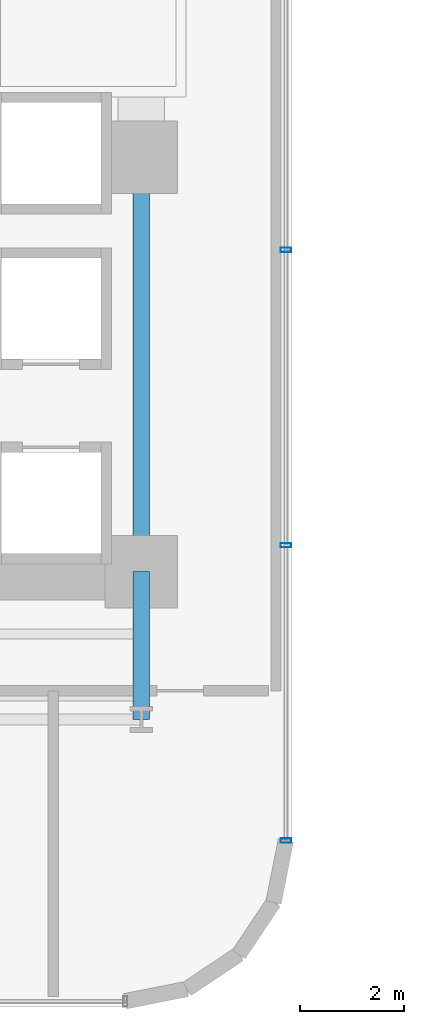
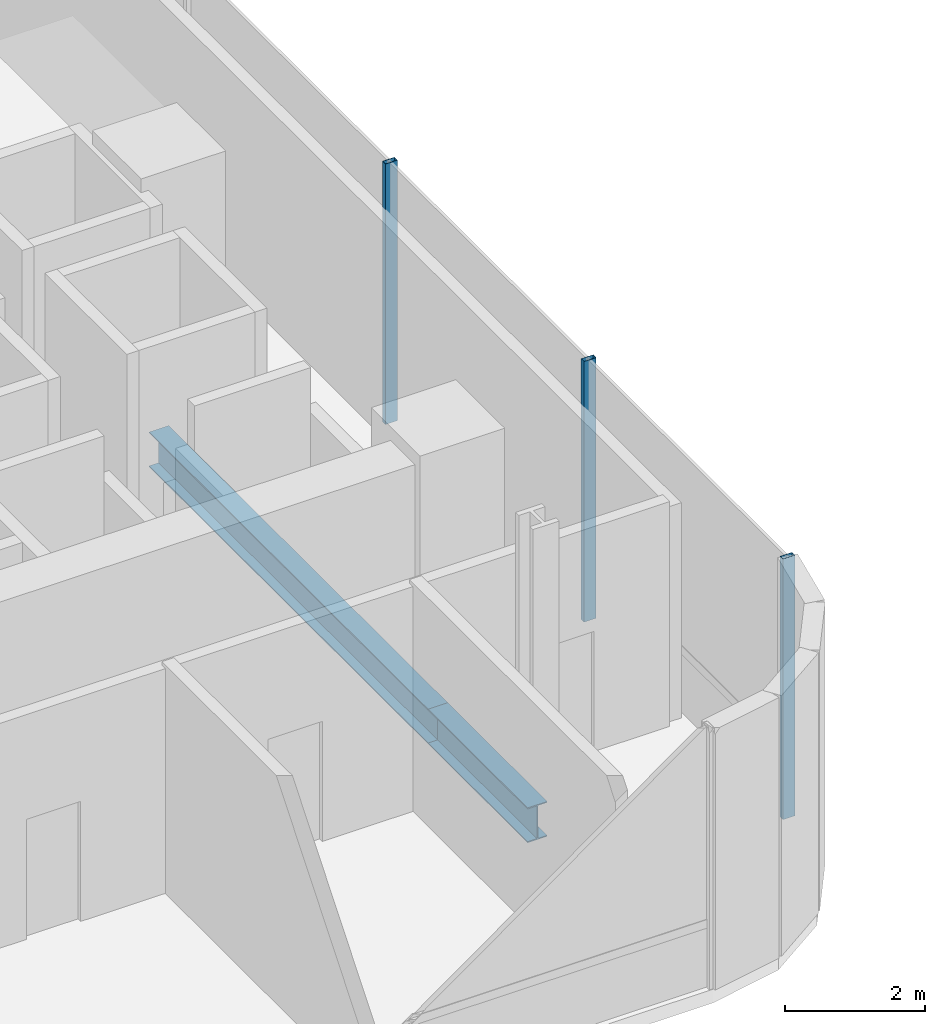
# One storey, part 7 of 39: 3 members, 2 beams, 1 element without a shape of its own.
"""IFC4 building model written with IfcOpenShell, lengths in metres."""

from ifc_helpers import new_model, si_unit, direction, frame, origin, origin_2d, place, context, subcontext, project, spatial, hollow_rectangle, i_section, extrude, source, transform, mapped, material, material_profile, profile_set, type_object, element, aggregate, save


model = new_model("IFC4")

# Units and contexts
model_context = context("Model", 3, precision=1e-05, world=origin(), true_north=direction((0.0, 1.0)))
body_context = subcontext(model_context, "Body", "Model", "MODEL_VIEW")
ifc_project = project(units=[si_unit("LENGTHUNIT", "METRE"), si_unit("AREAUNIT", "SQUARE_METRE"), si_unit("VOLUMEUNIT", "CUBIC_METRE"), si_unit("PLANEANGLEUNIT", "RADIAN"), si_unit("MASSUNIT", "GRAM", prefix="KILO")], contexts=[model_context])

# Site, building, storey
site_placement = place(None, origin())
site = spatial("IfcSite", under=ifc_project, at=site_placement, CompositionType="ELEMENT")
building_placement = place(site_placement, origin())
building = spatial("IfcBuilding", under=site, at=building_placement, Name="Valdorenza Pilgrim Sanctuary Tower", CompositionType="ELEMENT")
storey_placement = place(building_placement, frame((0.0, 0.0, 96.300048828125)))
storey = spatial("IfcBuildingStorey", under=building, at=storey_placement, Name="L24", CompositionType="ELEMENT", Elevation=96.300048828125)

# Beams
ifc_material_1 = material(Name="Steel ASTM A992 Grade 50", Category="steel")
ifc_material_profile_1 = material_profile(ifc_material_1, i_section(OverallWidth=0.323974609375, OverallDepth=0.611083984375, WebThickness=0.0126953125, FlangeThickness=0.01904296875, at=origin_2d()), Name="W24X104")
ifc_profile_set_1 = profile_set([ifc_material_profile_1], Name="Steel ASTM A992 Grade 50")
beam_type = type_object("IfcBeamType", Name="STR-BM-GRD-W24B", PredefinedType="BEAM", material=ifc_profile_set_1)
shared_shape_1 = source(origin(), body_context, "Body", "SweptSolid", [
    extrude(i_section(OverallWidth=0.323974609375, OverallDepth=0.611083984375, WebThickness=0.0126953125, FlangeThickness=0.01904296875, at=origin_2d()), origin(), (0.0, 0.0, 1.0), 8.0),
])
beam_1_placement = place(storey_placement, frame((-12.39990234375, -10.60009765625, -0.545654296875), z_axis=(0.0, 1.0, 0.0), x_axis=(-1.0, 0.0, 0.0)))
element("IfcBeam", 1, at=beam_1_placement, inside=storey, type_object=beam_type, Name="L24 Core Tie Girder CA-E-S1M0", PredefinedType="BEAM", context=body_context, shape_type="MappedRepresentation", body=[
    mapped(shared_shape_1, transform((0.0, 0.0, 0.0), x_axis=(1.0, 0.0, 0.0), y_axis=(0.0, 1.0, 0.0), z_axis=(0.0, 0.0, 1.0), scale=1.0)),
])
shared_shape_2 = source(origin(), body_context, "Body", "SweptSolid", [
    extrude(i_section(OverallWidth=0.323974609375, OverallDepth=0.611083984375, WebThickness=0.0126953125, FlangeThickness=0.01904296875, at=origin_2d()), origin(), (0.0, 0.0, 1.0), 2.849853515625),
])
beam_2_placement = place(storey_placement, frame((-12.39990234375, -13.449951171875, -0.545654296875), z_axis=(0.0, 1.0, 0.0), x_axis=(-1.0, 0.0, 0.0)))
element("IfcBeam", 2, at=beam_2_placement, inside=storey, type_object=beam_type, Name="L24 Floor Girder WA-S-LE", PredefinedType="BEAM", context=body_context, shape_type="MappedRepresentation", body=[
    mapped(shared_shape_2, transform((0.0, 0.0, 0.0), x_axis=(1.0, 0.0, 0.0), y_axis=(0.0, 1.0, 0.0), z_axis=(0.0, 0.0, 1.0), scale=1.0)),
])

# Curtain wall, members
ifc_material_2 = material(Name="Curtain-wall IGU glazing", Category="glass")
curtain_wall_type = type_object("IfcCurtainWallType", Name="CW-SYS-02", PredefinedType="NOTDEFINED", material=ifc_material_2)
curtain_wall_placement = place(storey_placement, origin())
curtain_wall = element("IfcCurtainWall", 3, at=curtain_wall_placement, inside=storey, type_object=curtain_wall_type, Name="L24 Curtain Wall CW-L24-1-41", PredefinedType="NOTDEFINED")
ifc_material_3 = material(Name="Anodised aluminium AW-6060", Category="aluminium")
ifc_material_profile_2 = material_profile(ifc_material_3, hollow_rectangle(XDim=0.0849609375, YDim=0.199951171875, WallThickness=0.0048828125, at=origin_2d()), Name="ALU-M 200x85x5")
ifc_profile_set_2 = profile_set([ifc_material_profile_2], Name="Anodised aluminium AW-6060")
member_type = type_object("IfcMemberType", Name="CW-MUL-02", PredefinedType="MULLION", material=ifc_profile_set_2)
shared_shape_3 = source(origin(), body_context, "Body", "SweptSolid", [
    extrude(hollow_rectangle(XDim=0.0849609375, YDim=0.199951171875, WallThickness=0.0048828125, at=origin_2d()), origin(), (0.0, 0.0, 1.0), 4.56005859375),
])
member_1_placement = place(storey_placement, frame((-9.610107421875, -4.38916015625, 0.0), z_axis=(0.0, 0.0, 1.0), x_axis=(0.0, -1.0, 0.0)))
member_1 = element("IfcMember", 4, at=member_1_placement, type_object=member_type, Name="CW-L24-1-41 Mullion 3", PredefinedType="MULLION", context=body_context, shape_type="MappedRepresentation", body=[
    mapped(shared_shape_3, transform((0.0, 0.0, 0.0), x_axis=(1.0, 0.0, 0.0), y_axis=(0.0, 1.0, 0.0), z_axis=(0.0, 0.0, 1.0), scale=1.0)),
])
member_2_placement = place(storey_placement, frame((-9.610107421875, -10.089111328125, 0.0), z_axis=(0.0, 0.0, 1.0), x_axis=(0.0, -1.0, 0.0)))
member_2 = element("IfcMember", 5, at=member_2_placement, type_object=member_type, Name="CW-L24-1-41 Mullion 4", PredefinedType="MULLION", context=body_context, shape_type="MappedRepresentation", body=[
    mapped(shared_shape_3, transform((0.0, 0.0, 0.0), x_axis=(1.0, 0.0, 0.0), y_axis=(0.0, 1.0, 0.0), z_axis=(0.0, 0.0, 1.0), scale=1.0)),
])
member_3_placement = place(storey_placement, frame((-9.610107421875, -15.789306640625, 0.0), z_axis=(0.0, 0.0, 1.0), x_axis=(0.0, -1.0, 0.0)))
member_3 = element("IfcMember", 6, at=member_3_placement, type_object=member_type, Name="CW-L24-1-41 Mullion 5", PredefinedType="MULLION", context=body_context, shape_type="MappedRepresentation", body=[
    mapped(shared_shape_3, transform((0.0, 0.0, 0.0), x_axis=(1.0, 0.0, 0.0), y_axis=(0.0, 1.0, 0.0), z_axis=(0.0, 0.0, 1.0), scale=1.0)),
])
aggregate(curtain_wall, [member_1, member_2, member_3])

save(model, "model.ifc")
